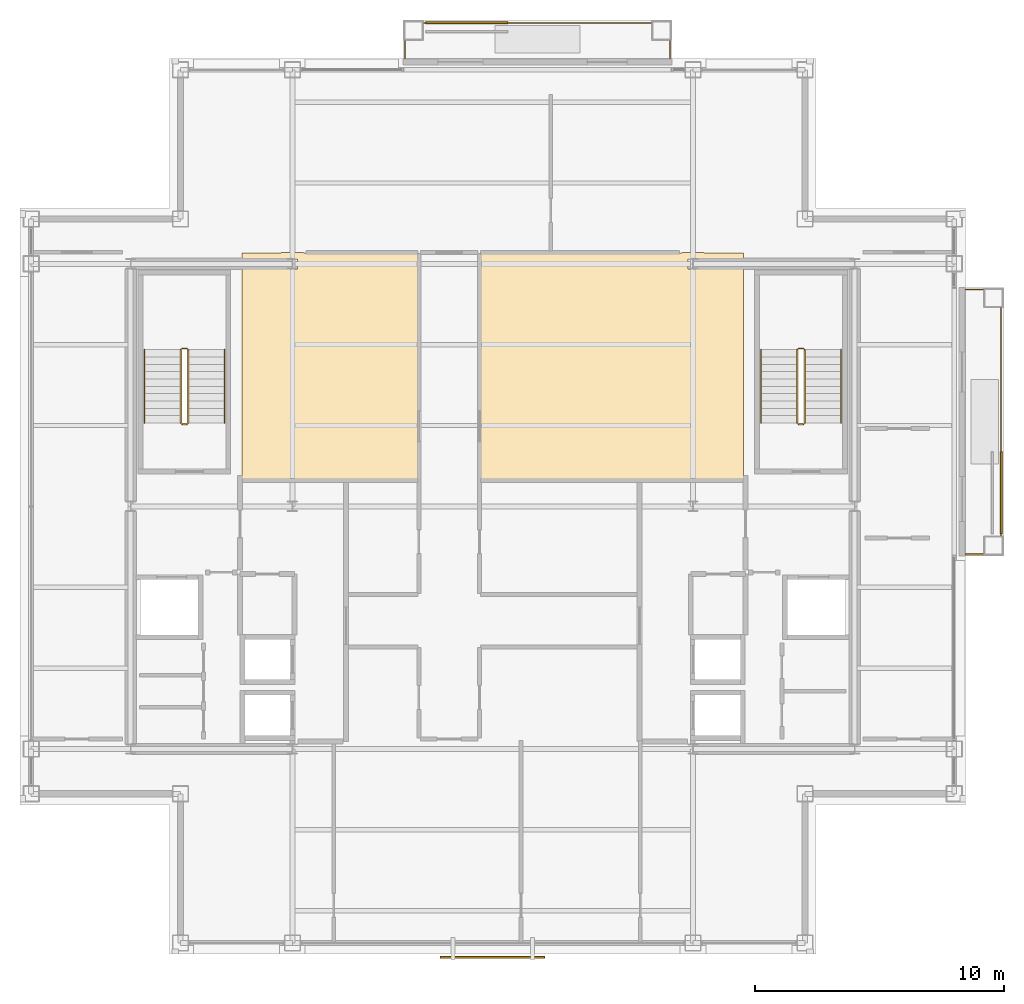
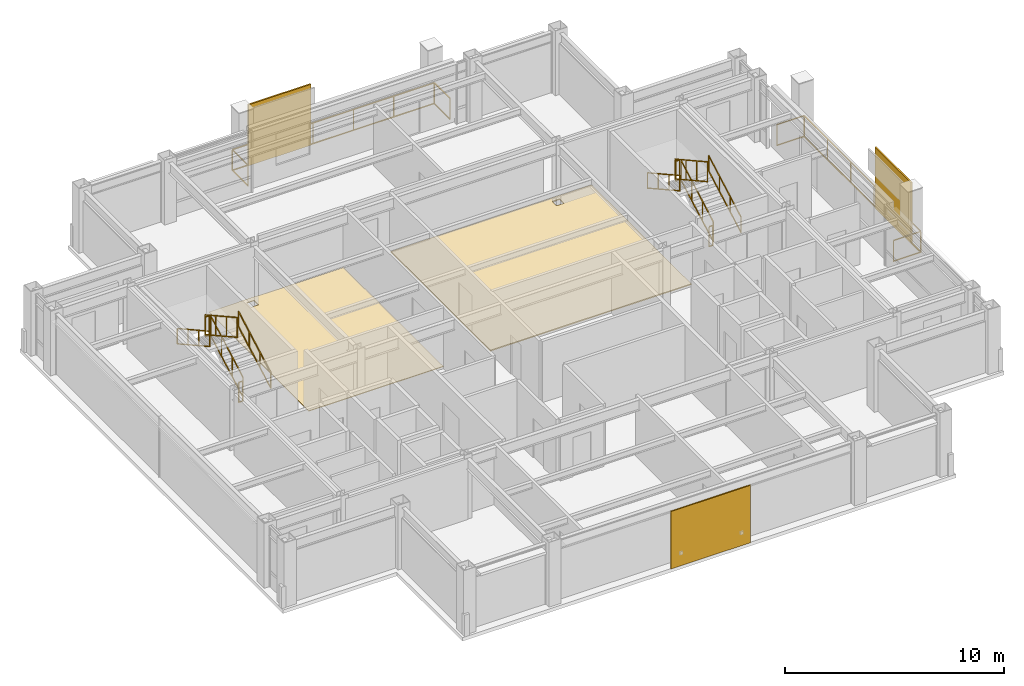
# One storey, part 23 of 24: 14 railings, 3 shading devices, 2 coverings.
"""IFC4 building model written with IfcOpenShell, lengths in metres."""

from ifc_helpers import new_model, si_unit, direction, frame, origin, origin_2d, place, context, subcontext, project, spatial, polyline, rectangle, outline, extrude, material, layer, layer_set, type_object, element, save


model = new_model("IFC4")

# Units and contexts
model_context = context("Model", 3, precision=1e-05, world=origin(), true_north=direction((0.0, 1.0)))
body_context = subcontext(model_context, "Body", "Model", "MODEL_VIEW")
ifc_project = project(units=[si_unit("LENGTHUNIT", "METRE"), si_unit("AREAUNIT", "SQUARE_METRE"), si_unit("VOLUMEUNIT", "CUBIC_METRE"), si_unit("PLANEANGLEUNIT", "RADIAN"), si_unit("MASSUNIT", "GRAM", prefix="KILO")], contexts=[model_context])

# Site, building, storey
site_placement = place(None, origin())
site = spatial("IfcSite", under=ifc_project, at=site_placement, CompositionType="ELEMENT")
building_placement = place(site_placement, origin())
building = spatial("IfcBuilding", under=site, at=building_placement, Name="Brelmoor Portico Tower", CompositionType="ELEMENT")
storey_placement = place(building_placement, frame((0.0, 0.0, 232.800048828125)))
storey = spatial("IfcBuildingStorey", under=building, at=storey_placement, Name="L61", CompositionType="ELEMENT", Elevation=232.800048828125)

# Coverings
ifc_material_1 = material(Name="Calcium-Sulphate Raised Access Floor Panel", Category="steel")
ifc_layer_1 = layer(ifc_material_1, 0.06005859375)
ifc_layer_set_1 = layer_set([ifc_layer_1], Name="Calcium-Sulphate Raised Access Floor Panel")
covering_type_1 = type_object("IfcCoveringType", Name="CV-FLR-ACCESS-60", PredefinedType="FLOORING", material=ifc_layer_set_1)
covering_1_placement = place(storey_placement, origin())
element("IfcCovering", 1, at=covering_1_placement, inside=storey, type_object=covering_type_1, Name="L61 Architectural Floor Finish 02", PredefinedType="FLOORING", context=body_context, shape_type="SweptSolid", body=[
    extrude(outline(polyline([(-0.510009765625, 10.18994140625), (7.60009765625, 10.18994140625), (7.60009765625, 10.199951171875), (8.5, 10.199951171875), (8.5, 10.18994140625), (10.080078125, 10.18994140625), (10.080078125, 1.090087890625), (-0.510009765625, 1.090087890625), (-0.510009765625, 10.18994140625)]), holes=[polyline([(8.25, 9.550048828125), (8.25, 9.949951171875), (7.85009765625, 9.949951171875), (7.85009765625, 9.550048828125), (8.25, 9.550048828125)])]), origin(), (0.0, 0.0, 1.0), 0.06005859375),
])
ifc_material_2 = material(Name="Honed Pearl-Grey Granite Paver Finish", Category="masonry")
ifc_layer_2 = layer(ifc_material_2, 0.0380859375)
ifc_layer_set_2 = layer_set([ifc_layer_2], Name="Honed Pearl-Grey Granite Paver Finish")
covering_type_2 = type_object("IfcCoveringType", Name="CV-FLR-GRANITE-38", PredefinedType="FLOORING", material=ifc_layer_set_2)
covering_2_placement = place(storey_placement, origin())
element("IfcCovering", 2, at=covering_2_placement, inside=storey, type_object=covering_type_2, Name="L61 Architectural Floor Finish 01", PredefinedType="FLOORING", context=body_context, shape_type="SweptSolid", body=[
    extrude(outline(polyline([(-10.080078125, 10.18994140625), (-8.5, 10.18994140625), (-8.5, 10.199951171875), (-7.60009765625, 10.199951171875), (-7.60009765625, 10.18994140625), (-2.989990234375, 10.18994140625), (-2.989990234375, 1.090087890625), (-10.080078125, 1.090087890625), (-10.080078125, 10.18994140625)]), holes=[polyline([(-7.85009765625, 9.550048828125), (-7.85009765625, 9.949951171875), (-8.25, 9.949951171875), (-8.25, 9.550048828125), (-7.85009765625, 9.550048828125)])]), origin(), (0.0, 0.0, 1.0), 0.037841796875),
])

# Railings
ifc_material_3 = material(Name="Perforated Pale Champagne Aluminium Fretwork Guard", Category="aluminium")
railing_type_1 = type_object("IfcRailingType", Name="RL-BALUSTRADE-1200", PredefinedType="BALUSTRADE", material=ifc_material_3)
railing_1_placement = place(storey_placement, frame((-3.52001953125, 18.0, 0.0)))
element("IfcRailing", 3, at=railing_1_placement, inside=storey, type_object=railing_type_1, Name="L61 Tree Balcony Fretwork Balustrade N", PredefinedType="BALUSTRADE", context=body_context, shape_type="SweptSolid", body=[
    extrude(rectangle(XDim=0.048095703125, YDim=0.048095703125, at=origin_2d()), frame((0.0, 0.0, 1.17578125), z_axis=(0.0, 1.0, 0.0), x_axis=(-1.0, 0.0, 0.0)), (0.0, 0.0, 1.0), 1.429931640625),
    extrude(rectangle(XDim=0.048095703125, YDim=0.048095703125, at=origin_2d()), frame((0.0, 0.0, 0.02392578125), z_axis=(0.0, 1.0, 0.0), x_axis=(-1.0, 0.0, 0.0)), (0.0, 0.0, 1.0), 1.429931640625),
    extrude(rectangle(XDim=0.048095703125, YDim=0.048095703125, at=origin_2d()), frame((0.0, 1.429931640625, 1.17578125), z_axis=(1.0, 0.0, 0.0), x_axis=(0.0, 1.0, 0.0)), (0.0, 0.0, 1.0), 10.64013671875),
    extrude(rectangle(XDim=0.048095703125, YDim=0.048095703125, at=origin_2d()), frame((0.0, 1.429931640625, 0.02392578125), z_axis=(1.0, 0.0, 0.0), x_axis=(0.0, 1.0, 0.0)), (0.0, 0.0, 1.0), 10.64013671875),
    extrude(rectangle(XDim=0.048095703125, YDim=0.048095703125, at=origin_2d()), frame((10.64013671875, 1.429931640625, 1.17578125), z_axis=(0.0, -1.0, 0.0), x_axis=(1.0, 0.0, 0.0)), (0.0, 0.0, 1.0), 1.429931640625),
    extrude(rectangle(XDim=0.048095703125, YDim=0.048095703125, at=origin_2d()), frame((10.64013671875, 1.429931640625, 0.02392578125), z_axis=(0.0, -1.0, 0.0), x_axis=(1.0, 0.0, 0.0)), (0.0, 0.0, 1.0), 1.429931640625),
    extrude(rectangle(XDim=0.0419921875, YDim=0.0419921875, at=origin_2d()), origin(), (0.0, 0.0, 1.0), 1.15185546875),
    extrude(rectangle(XDim=0.0419921875, YDim=0.0419921875, at=origin_2d()), frame((0.0, 1.429931640625, 0.0)), (0.0, 0.0, 1.0), 1.15185546875),
    extrude(rectangle(XDim=0.0419921875, YDim=0.0419921875, at=origin_2d()), frame((2.1279296875, 1.429931640625, 0.0)), (0.0, 0.0, 1.0), 1.15185546875),
    extrude(rectangle(XDim=0.0419921875, YDim=0.0419921875, at=origin_2d()), frame((4.256103515625, 1.429931640625, 0.0)), (0.0, 0.0, 1.0), 1.15185546875),
    extrude(rectangle(XDim=0.0419921875, YDim=0.0419921875, at=origin_2d()), frame((6.384033203125, 1.429931640625, 0.0)), (0.0, 0.0, 1.0), 1.15185546875),
    extrude(rectangle(XDim=0.0419921875, YDim=0.0419921875, at=origin_2d()), frame((8.51220703125, 1.429931640625, 0.0)), (0.0, 0.0, 1.0), 1.15185546875),
    extrude(rectangle(XDim=0.0419921875, YDim=0.0419921875, at=origin_2d()), frame((10.64013671875, 1.429931640625, 0.0)), (0.0, 0.0, 1.0), 1.15185546875),
    extrude(rectangle(XDim=0.0419921875, YDim=0.0419921875, at=origin_2d()), frame((10.64013671875, 0.0, 0.0)), (0.0, 0.0, 1.0), 1.15185546875),
])
railing_2_placement = place(storey_placement, frame((19.0, -1.919921875, 0.0)))
element("IfcRailing", 4, at=railing_2_placement, inside=storey, type_object=railing_type_1, Name="L61 Tree Balcony Fretwork Balustrade E", PredefinedType="BALUSTRADE", context=body_context, shape_type="SweptSolid", body=[
    extrude(rectangle(XDim=0.048095703125, YDim=0.048095703125, at=origin_2d()), frame((0.0, 0.0, 1.17578125), z_axis=(1.0, 0.0, 0.0), x_axis=(0.0, 1.0, 0.0)), (0.0, 0.0, 1.0), 1.429931640625),
    extrude(rectangle(XDim=0.048095703125, YDim=0.048095703125, at=origin_2d()), frame((0.0, 0.0, 0.02392578125), z_axis=(1.0, 0.0, 0.0), x_axis=(0.0, 1.0, 0.0)), (0.0, 0.0, 1.0), 1.429931640625),
    extrude(rectangle(XDim=0.048095703125, YDim=0.048095703125, at=origin_2d()), frame((1.429931640625, 0.0, 1.17578125), z_axis=(0.0, 1.0, 0.0), x_axis=(-1.0, 0.0, 0.0)), (0.0, 0.0, 1.0), 10.639892578125),
    extrude(rectangle(XDim=0.048095703125, YDim=0.048095703125, at=origin_2d()), frame((1.429931640625, 0.0, 0.02392578125), z_axis=(0.0, 1.0, 0.0), x_axis=(-1.0, 0.0, 0.0)), (0.0, 0.0, 1.0), 10.639892578125),
    extrude(rectangle(XDim=0.048095703125, YDim=0.048095703125, at=origin_2d()), frame((1.429931640625, 10.639892578125, 1.17578125), z_axis=(-1.0, 0.0, 0.0), x_axis=(0.0, -1.0, 0.0)), (0.0, 0.0, 1.0), 1.429931640625),
    extrude(rectangle(XDim=0.048095703125, YDim=0.048095703125, at=origin_2d()), frame((1.429931640625, 10.639892578125, 0.02392578125), z_axis=(-1.0, 0.0, 0.0), x_axis=(0.0, -1.0, 0.0)), (0.0, 0.0, 1.0), 1.429931640625),
    extrude(rectangle(XDim=0.0419921875, YDim=0.0419921875, at=origin_2d()), origin(), (0.0, 0.0, 1.0), 1.15185546875),
    extrude(rectangle(XDim=0.0419921875, YDim=0.0419921875, at=origin_2d()), frame((1.429931640625, 0.0, 0.0)), (0.0, 0.0, 1.0), 1.15185546875),
    extrude(rectangle(XDim=0.0419921875, YDim=0.0419921875, at=origin_2d()), frame((1.429931640625, 2.1279296875, 0.0)), (0.0, 0.0, 1.0), 1.15185546875),
    extrude(rectangle(XDim=0.0419921875, YDim=0.0419921875, at=origin_2d()), frame((1.429931640625, 4.255859375, 0.0)), (0.0, 0.0, 1.0), 1.15185546875),
    extrude(rectangle(XDim=0.0419921875, YDim=0.0419921875, at=origin_2d()), frame((1.429931640625, 6.384033203125, 0.0)), (0.0, 0.0, 1.0), 1.15185546875),
    extrude(rectangle(XDim=0.0419921875, YDim=0.0419921875, at=origin_2d()), frame((1.429931640625, 8.511962890625, 0.0)), (0.0, 0.0, 1.0), 1.15185546875),
    extrude(rectangle(XDim=0.0419921875, YDim=0.0419921875, at=origin_2d()), frame((1.429931640625, 10.639892578125, 0.0)), (0.0, 0.0, 1.0), 1.15185546875),
    extrude(rectangle(XDim=0.0419921875, YDim=0.0419921875, at=origin_2d()), frame((0.0, 10.639892578125, 0.0)), (0.0, 0.0, 1.0), 1.15185546875),
])
ifc_material_4 = material(Name="Painted Tubular Steel Q235B", Category="steel")
railing_type_2 = type_object("IfcRailingType", Name="RL-STAIR-GUARD", PredefinedType="GUARDRAIL", material=ifc_material_4)
railing_3_placement = place(storey_placement, frame((-12.239990234375, 3.35009765625, 0.16357421875)))
element("IfcRailing", 5, at=railing_3_placement, inside=storey, type_object=railing_type_2, Name="L61 ST-W stair guard 1", PredefinedType="GUARDRAIL", context=body_context, shape_type="SweptSolid", body=[
    extrude(rectangle(XDim=0.048095703125, YDim=0.048095703125, at=origin_2d()), frame((0.0, 0.0, 1.1259765625), z_axis=(0.0, 0.874457516365, 0.485102104791), x_axis=(-1.0, 0.0, 0.0)), (0.0, 0.0, 1.0), 3.37353515625),
    extrude(rectangle(XDim=0.048095703125, YDim=0.048095703125, at=origin_2d()), frame((0.0, 0.0, 0.02392578125), z_axis=(0.0, 0.874457516365, 0.485102104791), x_axis=(-1.0, 0.0, 0.0)), (0.0, 0.0, 1.0), 3.37353515625),
    extrude(rectangle(XDim=0.0419921875, YDim=0.0419921875, at=origin_2d()), origin(), (0.0, 0.0, 1.0), 1.101806640625),
    extrude(rectangle(XDim=0.0419921875, YDim=0.0419921875, at=origin_2d()), frame((0.0, 0.9833984375, 0.54541015625)), (0.0, 0.0, 1.0), 1.101806640625),
    extrude(rectangle(XDim=0.0419921875, YDim=0.0419921875, at=origin_2d()), frame((0.0, 1.966552734375, 1.091064453125)), (0.0, 0.0, 1.0), 1.101806640625),
    extrude(rectangle(XDim=0.0419921875, YDim=0.0419921875, at=origin_2d()), frame((0.0, 2.949951171875, 1.636474609375)), (0.0, 0.0, 1.0), 1.101806640625),
])
railing_4_placement = place(storey_placement, frame((-12.2900390625, 6.35009765625, 1.800048828125)))
element("IfcRailing", 6, at=railing_4_placement, inside=storey, type_object=railing_type_2, Name="L61 ST-W stair guard 2", PredefinedType="GUARDRAIL", context=body_context, shape_type="SweptSolid", body=[
    extrude(rectangle(XDim=0.048095703125, YDim=0.048095703125, at=origin_2d()), frame((0.0, 0.0, 1.1259765625), z_axis=(-1.0, 0.0, 0.0), x_axis=(0.0, -1.0, 0.0)), (0.0, 0.0, 1.0), 0.199951171875),
    extrude(rectangle(XDim=0.048095703125, YDim=0.048095703125, at=origin_2d()), frame((0.0, 0.0, 0.02392578125), z_axis=(-1.0, 0.0, 0.0), x_axis=(0.0, -1.0, 0.0)), (0.0, 0.0, 1.0), 0.199951171875),
    extrude(rectangle(XDim=0.0419921875, YDim=0.0419921875, at=origin_2d()), origin(), (0.0, 0.0, 1.0), 1.101806640625),
    extrude(rectangle(XDim=0.0419921875, YDim=0.0419921875, at=origin_2d()), frame((-0.199951171875, 0.0, 0.0)), (0.0, 0.0, 1.0), 1.101806640625),
])
railing_5_placement = place(storey_placement, frame((-12.5400390625, 6.300048828125, 1.963623046875)))
element("IfcRailing", 7, at=railing_5_placement, inside=storey, type_object=railing_type_2, Name="L61 ST-W stair guard 3", PredefinedType="GUARDRAIL", context=body_context, shape_type="SweptSolid", body=[
    extrude(rectangle(XDim=0.048095703125, YDim=0.048095703125, at=origin_2d()), frame((0.0, 0.0, 1.1259765625), z_axis=(0.0, -0.87448821551, 0.485046761595), x_axis=(1.0, 0.0, 0.0)), (0.0, 0.0, 1.0), 3.373291015625),
    extrude(rectangle(XDim=0.048095703125, YDim=0.048095703125, at=origin_2d()), frame((0.0, 0.0, 0.02392578125), z_axis=(0.0, -0.87448821551, 0.485046761595), x_axis=(1.0, 0.0, 0.0)), (0.0, 0.0, 1.0), 3.373291015625),
    extrude(rectangle(XDim=0.0419921875, YDim=0.0419921875, at=origin_2d()), origin(), (0.0, 0.0, 1.0), 1.101806640625),
    extrude(rectangle(XDim=0.0419921875, YDim=0.0419921875, at=origin_2d()), frame((0.0, -0.9833984375, 0.54541015625)), (0.0, 0.0, 1.0), 1.101806640625),
    extrude(rectangle(XDim=0.0419921875, YDim=0.0419921875, at=origin_2d()), frame((0.0, -1.966552734375, 1.0908203125)), (0.0, 0.0, 1.0), 1.101806640625),
    extrude(rectangle(XDim=0.0419921875, YDim=0.0419921875, at=origin_2d()), frame((0.0, -2.949951171875, 1.63623046875)), (0.0, 0.0, 1.0), 1.101806640625),
])
railing_6_placement = place(storey_placement, frame((-12.2900390625, 3.300048828125, 0.0)))
element("IfcRailing", 8, at=railing_6_placement, inside=storey, type_object=railing_type_2, Name="L61 ST-W stair guard 4", PredefinedType="GUARDRAIL", context=body_context, shape_type="SweptSolid", body=[
    extrude(rectangle(XDim=0.048095703125, YDim=0.048095703125, at=origin_2d()), frame((0.0, 0.0, 1.1259765625), z_axis=(-1.0, 0.0, 0.0), x_axis=(0.0, -1.0, 0.0)), (0.0, 0.0, 1.0), 0.199951171875),
    extrude(rectangle(XDim=0.048095703125, YDim=0.048095703125, at=origin_2d()), frame((0.0, 0.0, 0.02392578125), z_axis=(-1.0, 0.0, 0.0), x_axis=(0.0, -1.0, 0.0)), (0.0, 0.0, 1.0), 0.199951171875),
    extrude(rectangle(XDim=0.0419921875, YDim=0.0419921875, at=origin_2d()), origin(), (0.0, 0.0, 1.0), 1.101806640625),
    extrude(rectangle(XDim=0.0419921875, YDim=0.0419921875, at=origin_2d()), frame((-0.199951171875, 0.0, 0.0)), (0.0, 0.0, 1.0), 1.101806640625),
])
railing_7_placement = place(storey_placement, frame((12.5400390625, 3.35009765625, 0.16357421875)))
element("IfcRailing", 9, at=railing_7_placement, inside=storey, type_object=railing_type_2, Name="L61 ST-E stair guard 1", PredefinedType="GUARDRAIL", context=body_context, shape_type="SweptSolid", body=[
    extrude(rectangle(XDim=0.048095703125, YDim=0.048095703125, at=origin_2d()), frame((0.0, 0.0, 1.1259765625), z_axis=(0.0, 0.874457516365, 0.485102104791), x_axis=(-1.0, 0.0, 0.0)), (0.0, 0.0, 1.0), 3.37353515625),
    extrude(rectangle(XDim=0.048095703125, YDim=0.048095703125, at=origin_2d()), frame((0.0, 0.0, 0.02392578125), z_axis=(0.0, 0.874457516365, 0.485102104791), x_axis=(-1.0, 0.0, 0.0)), (0.0, 0.0, 1.0), 3.37353515625),
    extrude(rectangle(XDim=0.0419921875, YDim=0.0419921875, at=origin_2d()), origin(), (0.0, 0.0, 1.0), 1.101806640625),
    extrude(rectangle(XDim=0.0419921875, YDim=0.0419921875, at=origin_2d()), frame((0.0, 0.9833984375, 0.54541015625)), (0.0, 0.0, 1.0), 1.101806640625),
    extrude(rectangle(XDim=0.0419921875, YDim=0.0419921875, at=origin_2d()), frame((0.0, 1.966552734375, 1.091064453125)), (0.0, 0.0, 1.0), 1.101806640625),
    extrude(rectangle(XDim=0.0419921875, YDim=0.0419921875, at=origin_2d()), frame((0.0, 2.949951171875, 1.636474609375)), (0.0, 0.0, 1.0), 1.101806640625),
])
railing_8_placement = place(storey_placement, frame((12.489990234375, 6.35009765625, 1.800048828125)))
element("IfcRailing", 10, at=railing_8_placement, inside=storey, type_object=railing_type_2, Name="L61 ST-E stair guard 2", PredefinedType="GUARDRAIL", context=body_context, shape_type="SweptSolid", body=[
    extrude(rectangle(XDim=0.048095703125, YDim=0.048095703125, at=origin_2d()), frame((0.0, 0.0, 1.1259765625), z_axis=(-1.0, 0.0, 0.0), x_axis=(0.0, -1.0, 0.0)), (0.0, 0.0, 1.0), 0.199951171875),
    extrude(rectangle(XDim=0.048095703125, YDim=0.048095703125, at=origin_2d()), frame((0.0, 0.0, 0.02392578125), z_axis=(-1.0, 0.0, 0.0), x_axis=(0.0, -1.0, 0.0)), (0.0, 0.0, 1.0), 0.199951171875),
    extrude(rectangle(XDim=0.0419921875, YDim=0.0419921875, at=origin_2d()), origin(), (0.0, 0.0, 1.0), 1.101806640625),
    extrude(rectangle(XDim=0.0419921875, YDim=0.0419921875, at=origin_2d()), frame((-0.199951171875, 0.0, 0.0)), (0.0, 0.0, 1.0), 1.101806640625),
])
railing_9_placement = place(storey_placement, frame((12.239990234375, 6.300048828125, 1.963623046875)))
element("IfcRailing", 11, at=railing_9_placement, inside=storey, type_object=railing_type_2, Name="L61 ST-E stair guard 3", PredefinedType="GUARDRAIL", context=body_context, shape_type="SweptSolid", body=[
    extrude(rectangle(XDim=0.048095703125, YDim=0.048095703125, at=origin_2d()), frame((0.0, 0.0, 1.1259765625), z_axis=(0.0, -0.87448821551, 0.485046761595), x_axis=(1.0, 0.0, 0.0)), (0.0, 0.0, 1.0), 3.373291015625),
    extrude(rectangle(XDim=0.048095703125, YDim=0.048095703125, at=origin_2d()), frame((0.0, 0.0, 0.02392578125), z_axis=(0.0, -0.87448821551, 0.485046761595), x_axis=(1.0, 0.0, 0.0)), (0.0, 0.0, 1.0), 3.373291015625),
    extrude(rectangle(XDim=0.0419921875, YDim=0.0419921875, at=origin_2d()), origin(), (0.0, 0.0, 1.0), 1.101806640625),
    extrude(rectangle(XDim=0.0419921875, YDim=0.0419921875, at=origin_2d()), frame((0.0, -0.9833984375, 0.54541015625)), (0.0, 0.0, 1.0), 1.101806640625),
    extrude(rectangle(XDim=0.0419921875, YDim=0.0419921875, at=origin_2d()), frame((0.0, -1.966552734375, 1.0908203125)), (0.0, 0.0, 1.0), 1.101806640625),
    extrude(rectangle(XDim=0.0419921875, YDim=0.0419921875, at=origin_2d()), frame((0.0, -2.949951171875, 1.63623046875)), (0.0, 0.0, 1.0), 1.101806640625),
])
railing_10_placement = place(storey_placement, frame((12.489990234375, 3.300048828125, 0.0)))
element("IfcRailing", 12, at=railing_10_placement, inside=storey, type_object=railing_type_2, Name="L61 ST-E stair guard 4", PredefinedType="GUARDRAIL", context=body_context, shape_type="SweptSolid", body=[
    extrude(rectangle(XDim=0.048095703125, YDim=0.048095703125, at=origin_2d()), frame((0.0, 0.0, 1.1259765625), z_axis=(-1.0, 0.0, 0.0), x_axis=(0.0, -1.0, 0.0)), (0.0, 0.0, 1.0), 0.199951171875),
    extrude(rectangle(XDim=0.048095703125, YDim=0.048095703125, at=origin_2d()), frame((0.0, 0.0, 0.02392578125), z_axis=(-1.0, 0.0, 0.0), x_axis=(0.0, -1.0, 0.0)), (0.0, 0.0, 1.0), 0.199951171875),
    extrude(rectangle(XDim=0.0419921875, YDim=0.0419921875, at=origin_2d()), origin(), (0.0, 0.0, 1.0), 1.101806640625),
    extrude(rectangle(XDim=0.0419921875, YDim=0.0419921875, at=origin_2d()), frame((-0.199951171875, 0.0, 0.0)), (0.0, 0.0, 1.0), 1.101806640625),
])
ifc_material_5 = material(Name="Brushed Stainless Steel 304", Category="steel")
railing_type_3 = type_object("IfcRailingType", Name="RL-STAIR-HANDRAIL", PredefinedType="HANDRAIL", material=ifc_material_5)
railing_11_placement = place(storey_placement, frame((-10.780029296875, 3.35009765625, 0.16357421875)))
element("IfcRailing", 13, at=railing_11_placement, inside=storey, type_object=railing_type_3, Name="L61 ST-W stair handrail 1", PredefinedType="HANDRAIL", context=body_context, shape_type="SweptSolid", body=[
    extrude(rectangle(XDim=0.048095703125, YDim=0.048095703125, at=origin_2d()), frame((0.0, 0.0, 0.8759765625), z_axis=(0.0, 0.874457516365, 0.485102104791), x_axis=(-1.0, 0.0, 0.0)), (0.0, 0.0, 1.0), 3.37353515625),
    extrude(rectangle(XDim=0.048095703125, YDim=0.048095703125, at=origin_2d()), frame((0.0, 0.0, 0.02392578125), z_axis=(0.0, 0.874457516365, 0.485102104791), x_axis=(-1.0, 0.0, 0.0)), (0.0, 0.0, 1.0), 3.37353515625),
    extrude(rectangle(XDim=0.0419921875, YDim=0.0419921875, at=origin_2d()), origin(), (0.0, 0.0, 1.0), 0.851806640625),
    extrude(rectangle(XDim=0.0419921875, YDim=0.0419921875, at=origin_2d()), frame((0.0, 0.9833984375, 0.54541015625)), (0.0, 0.0, 1.0), 0.851806640625),
    extrude(rectangle(XDim=0.0419921875, YDim=0.0419921875, at=origin_2d()), frame((0.0, 1.966552734375, 1.091064453125)), (0.0, 0.0, 1.0), 0.851806640625),
    extrude(rectangle(XDim=0.0419921875, YDim=0.0419921875, at=origin_2d()), frame((0.0, 2.949951171875, 1.636474609375)), (0.0, 0.0, 1.0), 0.851806640625),
])
railing_12_placement = place(storey_placement, frame((-14.0, 6.300048828125, 1.963623046875)))
element("IfcRailing", 14, at=railing_12_placement, inside=storey, type_object=railing_type_3, Name="L61 ST-W stair handrail 2", PredefinedType="HANDRAIL", context=body_context, shape_type="SweptSolid", body=[
    extrude(rectangle(XDim=0.048095703125, YDim=0.048095703125, at=origin_2d()), frame((0.0, 0.0, 0.8759765625), z_axis=(0.0, -0.87448821551, 0.485046761595), x_axis=(1.0, 0.0, 0.0)), (0.0, 0.0, 1.0), 3.373291015625),
    extrude(rectangle(XDim=0.048095703125, YDim=0.048095703125, at=origin_2d()), frame((0.0, 0.0, 0.02392578125), z_axis=(0.0, -0.87448821551, 0.485046761595), x_axis=(1.0, 0.0, 0.0)), (0.0, 0.0, 1.0), 3.373291015625),
    extrude(rectangle(XDim=0.0419921875, YDim=0.0419921875, at=origin_2d()), origin(), (0.0, 0.0, 1.0), 0.851806640625),
    extrude(rectangle(XDim=0.0419921875, YDim=0.0419921875, at=origin_2d()), frame((0.0, -0.9833984375, 0.54541015625)), (0.0, 0.0, 1.0), 0.851806640625),
    extrude(rectangle(XDim=0.0419921875, YDim=0.0419921875, at=origin_2d()), frame((0.0, -1.966552734375, 1.0908203125)), (0.0, 0.0, 1.0), 0.851806640625),
    extrude(rectangle(XDim=0.0419921875, YDim=0.0419921875, at=origin_2d()), frame((0.0, -2.949951171875, 1.63623046875)), (0.0, 0.0, 1.0), 0.851806640625),
])
railing_13_placement = place(storey_placement, frame((14.0, 3.35009765625, 0.16357421875)))
element("IfcRailing", 15, at=railing_13_placement, inside=storey, type_object=railing_type_3, Name="L61 ST-E stair handrail 1", PredefinedType="HANDRAIL", context=body_context, shape_type="SweptSolid", body=[
    extrude(rectangle(XDim=0.048095703125, YDim=0.048095703125, at=origin_2d()), frame((0.0, 0.0, 0.8759765625), z_axis=(0.0, 0.874457516365, 0.485102104791), x_axis=(-1.0, 0.0, 0.0)), (0.0, 0.0, 1.0), 3.37353515625),
    extrude(rectangle(XDim=0.048095703125, YDim=0.048095703125, at=origin_2d()), frame((0.0, 0.0, 0.02392578125), z_axis=(0.0, 0.874457516365, 0.485102104791), x_axis=(-1.0, 0.0, 0.0)), (0.0, 0.0, 1.0), 3.37353515625),
    extrude(rectangle(XDim=0.0419921875, YDim=0.0419921875, at=origin_2d()), origin(), (0.0, 0.0, 1.0), 0.851806640625),
    extrude(rectangle(XDim=0.0419921875, YDim=0.0419921875, at=origin_2d()), frame((0.0, 0.9833984375, 0.54541015625)), (0.0, 0.0, 1.0), 0.851806640625),
    extrude(rectangle(XDim=0.0419921875, YDim=0.0419921875, at=origin_2d()), frame((0.0, 1.966552734375, 1.091064453125)), (0.0, 0.0, 1.0), 0.851806640625),
    extrude(rectangle(XDim=0.0419921875, YDim=0.0419921875, at=origin_2d()), frame((0.0, 2.949951171875, 1.636474609375)), (0.0, 0.0, 1.0), 0.851806640625),
])
railing_14_placement = place(storey_placement, frame((10.780029296875, 6.300048828125, 1.963623046875)))
element("IfcRailing", 16, at=railing_14_placement, inside=storey, type_object=railing_type_3, Name="L61 ST-E stair handrail 2", PredefinedType="HANDRAIL", context=body_context, shape_type="SweptSolid", body=[
    extrude(rectangle(XDim=0.048095703125, YDim=0.048095703125, at=origin_2d()), frame((0.0, 0.0, 0.8759765625), z_axis=(0.0, -0.87448821551, 0.485046761595), x_axis=(1.0, 0.0, 0.0)), (0.0, 0.0, 1.0), 3.373291015625),
    extrude(rectangle(XDim=0.048095703125, YDim=0.048095703125, at=origin_2d()), frame((0.0, 0.0, 0.02392578125), z_axis=(0.0, -0.87448821551, 0.485046761595), x_axis=(1.0, 0.0, 0.0)), (0.0, 0.0, 1.0), 3.373291015625),
    extrude(rectangle(XDim=0.0419921875, YDim=0.0419921875, at=origin_2d()), origin(), (0.0, 0.0, 1.0), 0.851806640625),
    extrude(rectangle(XDim=0.0419921875, YDim=0.0419921875, at=origin_2d()), frame((0.0, -0.9833984375, 0.54541015625)), (0.0, 0.0, 1.0), 0.851806640625),
    extrude(rectangle(XDim=0.0419921875, YDim=0.0419921875, at=origin_2d()), frame((0.0, -1.966552734375, 1.0908203125)), (0.0, 0.0, 1.0), 0.851806640625),
    extrude(rectangle(XDim=0.0419921875, YDim=0.0419921875, at=origin_2d()), frame((0.0, -2.949951171875, 1.63623046875)), (0.0, 0.0, 1.0), 0.851806640625),
])

# Shading devices
ifc_material_6 = material(Name="Powder-Coated Aluminium Shuttered Jalousie", Category="aluminium")
ifc_layer_3 = layer(ifc_material_6, 0.080078125)
ifc_layer_set_3 = layer_set([ifc_layer_3], Name="Powder-Coated Aluminium Shuttered Jalousie")
shading_device_type_1 = type_object("IfcShadingDeviceType", Name="SD-JALOUSIE-LOGGIA", PredefinedType="JALOUSIE", material=ifc_layer_set_3)
for number, where, z_axis, x_axis, name in (
    (17, (-1.050048828125, 19.429931640625, 0.0), (0.0, 0.0, 1.0), (1.0, 0.0, 0.0), "L61 Loggia Shuttered Jalousie N"),
    (18, (20.429931640625, 0.550048828125, 0.0), (0.0, 0.0, 1.0), (0.0, 1.0, 0.0), "L61 Loggia Shuttered Jalousie E"),
):
    element("IfcShadingDevice", number, at=place(storey_placement, frame(where, z_axis=z_axis, x_axis=x_axis)), inside=storey, type_object=shading_device_type_1, Name=name, PredefinedType="JALOUSIE", context=body_context, shape_type="SweptSolid", body=[
        extrude(rectangle(XDim=3.300048828125, YDim=0.080078125, at=origin_2d()), origin(), (0.0, 0.0, 1.0), 3.39990234375),
    ])
ifc_material_7 = material(Name="Perforated Pale Champagne Aluminium Solar Screen", Category="aluminium")
ifc_layer_4 = layer(ifc_material_7, 0.06494140625)
ifc_layer_set_4 = layer_set([ifc_layer_4], Name="Perforated Pale Champagne Aluminium Solar Screen")
shading_device_type_2 = type_object("IfcShadingDeviceType", Name="SD-SOLAR-SCREEN", PredefinedType="USERDEFINED", material=ifc_layer_set_4)
shading_device_placement = place(storey_placement, frame((0.0, -18.1201171875, 0.10009765625), z_axis=(0.0, 0.0, 1.0), x_axis=(1.0, 0.0, 0.0)))
element("IfcShadingDevice", 19, at=shading_device_placement, inside=storey, type_object=shading_device_type_2, Name="L61 Perforated Solar Screen S1", ObjectType="SCREEN", PredefinedType="USERDEFINED", context=body_context, shape_type="SweptSolid", body=[
    extrude(rectangle(XDim=4.199951171875, YDim=0.06494140625, at=origin_2d()), origin(), (0.0, 0.0, 1.0), 3.199951171875),
])

save(model, "model.ifc")
